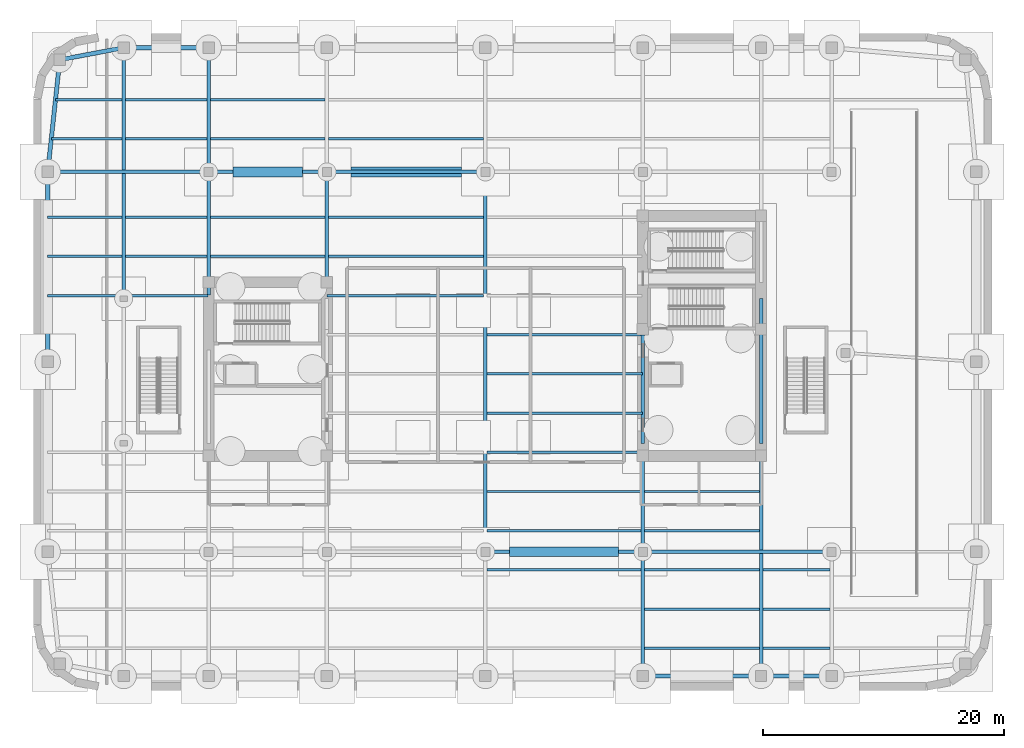
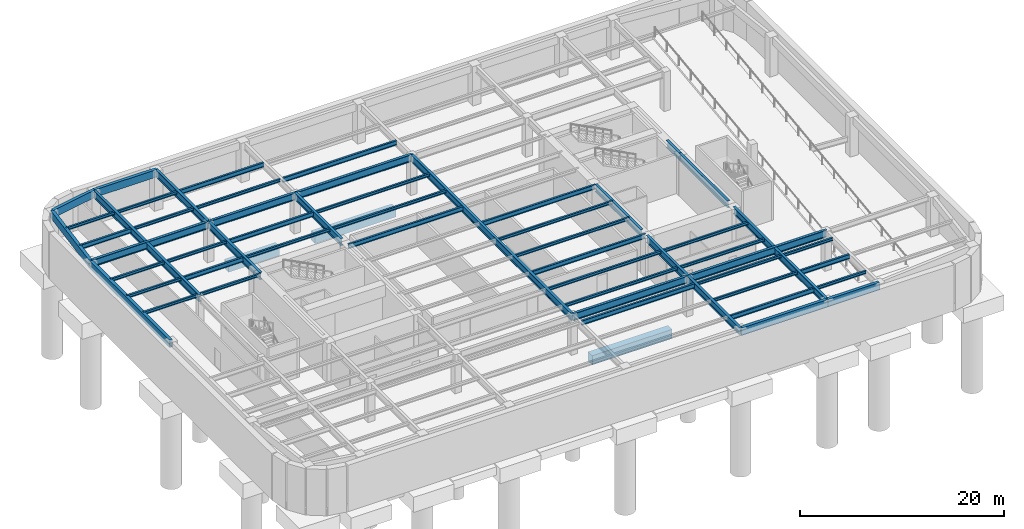
# One storey, part 3 of 14: 60 beams.
"""IFC4 building model written with IfcOpenShell, lengths in metres."""

from ifc_helpers import new_model, si_unit, direction, frame, origin, origin_2d, place, context, subcontext, project, spatial, rectangle, hollow_rectangle, i_section, extrude, material, material_profile, profile_set, type_object, element, save


model = new_model("IFC4")

# Units and contexts
model_context = context("Model", 3, precision=1e-05, world=origin(), true_north=direction((0.0, 1.0)))
body_context = subcontext(model_context, "Body", "Model", "MODEL_VIEW")
ifc_project = project(units=[si_unit("LENGTHUNIT", "METRE"), si_unit("AREAUNIT", "SQUARE_METRE"), si_unit("VOLUMEUNIT", "CUBIC_METRE"), si_unit("PLANEANGLEUNIT", "RADIAN"), si_unit("MASSUNIT", "GRAM", prefix="KILO")], contexts=[model_context])

# Site, building, storey
site_placement = place(None, origin())
site = spatial("IfcSite", under=ifc_project, at=site_placement, CompositionType="ELEMENT")
building_placement = place(site_placement, origin())
building = spatial("IfcBuilding", under=site, at=building_placement, Name="Kolvaren Arena Tower", CompositionType="ELEMENT")
storey_placement = place(building_placement, frame((0.0, 0.0, -10.0)))
storey = spatial("IfcBuildingStorey", under=building, at=storey_placement, Name="B02", CompositionType="ELEMENT", Elevation=-10.0)

# Beams
ifc_material_1 = material(Name="Steel CSA G40.21 350W", Category="steel")
ifc_material_profile_1 = material_profile(ifc_material_1, i_section(OverallWidth=0.2119140625, OverallDepth=0.54296875, WebThickness=0.01318359375, FlangeThickness=0.0244140625, FilletRadius=0.013916015625, at=origin_2d()), Name="W530x150")
ifc_profile_set_1 = profile_set([ifc_material_profile_1], Name="Steel CSA G40.21 350W")
beam_type_1 = type_object("IfcBeamType", Name="BEAM-F1", PredefinedType="BEAM", material=ifc_profile_set_1)
beam_1_placement = place(storey_placement, frame((50.696044921875, 3.5, 4.41845703125), z_axis=(1.0, 0.0, 0.0), x_axis=(0.0, 1.0, 0.0)))
element("IfcBeam", 1, at=beam_1_placement, inside=storey, type_object=beam_type_1, Name="Composite Floor Beam (B02)", PredefinedType="BEAM", context=body_context, shape_type="SweptSolid", body=[
    extrude(i_section(OverallWidth=0.2119140625, OverallDepth=0.54296875, WebThickness=0.01318359375, FlangeThickness=0.0244140625, FilletRadius=0.013916015625, at=origin_2d()), origin(), (0.0, 0.0, 1.0), 9.508056640625),
])
beam_2_placement = place(storey_placement, frame((60.49609375, 6.75, 4.41845703125), z_axis=(1.0, 0.0, 0.0), x_axis=(0.0, 1.0, 0.0)))
element("IfcBeam", 2, at=beam_2_placement, inside=storey, type_object=beam_type_1, Name="Composite Floor Beam (B02)", PredefinedType="BEAM", context=body_context, shape_type="SweptSolid", body=[
    extrude(i_section(OverallWidth=0.2119140625, OverallDepth=0.54296875, WebThickness=0.01318359375, FlangeThickness=0.0244140625, FilletRadius=0.013916015625, at=origin_2d()), origin(), (0.0, 0.0, 1.0), 5.557861328125),
])
beam_3_placement = place(storey_placement, frame((37.64599609375, 10.0, 4.41845703125), z_axis=(1.0, 0.0, 0.0), x_axis=(0.0, 1.0, 0.0)))
element("IfcBeam", 3, at=beam_3_placement, inside=storey, type_object=beam_type_1, Name="Composite Floor Beam (B02)", PredefinedType="BEAM", context=body_context, shape_type="SweptSolid", body=[
    extrude(i_section(OverallWidth=0.2119140625, OverallDepth=0.54296875, WebThickness=0.01318359375, FlangeThickness=0.0244140625, FilletRadius=0.013916015625, at=origin_2d()), origin(), (0.0, 0.0, 1.0), 12.758056640625),
])
beam_4_placement = place(storey_placement, frame((37.64599609375, 19.75, 4.41845703125), z_axis=(1.0, 0.0, 0.0), x_axis=(0.0, 1.0, 0.0)))
element("IfcBeam", 4, at=beam_4_placement, inside=storey, type_object=beam_type_1, Name="Composite Floor Beam (B02)", PredefinedType="BEAM", context=body_context, shape_type="SweptSolid", body=[
    extrude(i_section(OverallWidth=0.2119140625, OverallDepth=0.54296875, WebThickness=0.01318359375, FlangeThickness=0.0244140625, FilletRadius=0.013916015625, at=origin_2d()), origin(), (0.0, 0.0, 1.0), 12.884033203125),
])
beam_5_placement = place(storey_placement, frame((37.64599609375, 29.5, 4.41845703125), z_axis=(1.0, 0.0, 0.0), x_axis=(0.0, 1.0, 0.0)))
element("IfcBeam", 5, at=beam_5_placement, inside=storey, type_object=beam_type_1, Name="Composite Floor Beam (B02)", PredefinedType="BEAM", context=body_context, shape_type="SweptSolid", body=[
    extrude(i_section(OverallWidth=0.2119140625, OverallDepth=0.54296875, WebThickness=0.01318359375, FlangeThickness=0.0244140625, FilletRadius=0.013916015625, at=origin_2d()), origin(), (0.0, 0.0, 1.0), 12.833984375),
])
beam_6_placement = place(storey_placement, frame((24.3701171875, 32.75, 4.41845703125), z_axis=(1.0, 0.0, 0.0), x_axis=(0.0, 1.0, 0.0)))
element("IfcBeam", 6, at=beam_6_placement, inside=storey, type_object=beam_type_1, Name="Composite Floor Beam (B02)", PredefinedType="BEAM", context=body_context, shape_type="SweptSolid", body=[
    extrude(i_section(OverallWidth=0.2119140625, OverallDepth=0.54296875, WebThickness=0.01318359375, FlangeThickness=0.0244140625, FilletRadius=0.013916015625, at=origin_2d()), origin(), (0.0, 0.0, 1.0), 12.98388671875),
])
beam_7_placement = place(storey_placement, frame((7.64599609375, 36.0, 4.41845703125), z_axis=(1.0, 0.0, 0.0), x_axis=(0.0, 1.0, 0.0)))
element("IfcBeam", 7, at=beam_7_placement, inside=storey, type_object=beam_type_1, Name="Composite Floor Beam (B02)", PredefinedType="BEAM", context=body_context, shape_type="SweptSolid", body=[
    extrude(i_section(OverallWidth=0.2119140625, OverallDepth=0.54296875, WebThickness=0.01318359375, FlangeThickness=0.0244140625, FilletRadius=0.013916015625, at=origin_2d()), origin(), (0.0, 0.0, 1.0), 6.758056640625),
])
beam_8_placement = place(storey_placement, frame((14.696044921875, 39.25, 4.41845703125), z_axis=(1.0, 0.0, 0.0), x_axis=(0.0, 1.0, 0.0)))
element("IfcBeam", 8, at=beam_8_placement, inside=storey, type_object=beam_type_1, Name="Composite Floor Beam (B02)", PredefinedType="BEAM", context=body_context, shape_type="SweptSolid", body=[
    extrude(i_section(OverallWidth=0.2119140625, OverallDepth=0.54296875, WebThickness=0.01318359375, FlangeThickness=0.0244140625, FilletRadius=0.013916015625, at=origin_2d()), origin(), (0.0, 0.0, 1.0), 9.508056640625),
])
beam_9_placement = place(storey_placement, frame((1.49560546875, 45.75, 4.41845703125), z_axis=(1.0, 0.0, 0.0), x_axis=(0.0, 1.0, 0.0)))
element("IfcBeam", 9, at=beam_9_placement, inside=storey, type_object=beam_type_1, Name="Composite Floor Beam (B02)", PredefinedType="BEAM", context=body_context, shape_type="SweptSolid", body=[
    extrude(i_section(OverallWidth=0.2119140625, OverallDepth=0.54296875, WebThickness=0.01318359375, FlangeThickness=0.0244140625, FilletRadius=0.013916015625, at=origin_2d()), origin(), (0.0, 0.0, 1.0), 5.8583984375),
])
beam_10_placement = place(storey_placement, frame((24.49609375, 45.75, 4.41845703125), z_axis=(1.0, 0.0, 0.0), x_axis=(0.0, 1.0, 0.0)))
element("IfcBeam", 10, at=beam_10_placement, inside=storey, type_object=beam_type_1, Name="Composite Floor Beam (B02)", PredefinedType="BEAM", context=body_context, shape_type="SweptSolid", body=[
    extrude(i_section(OverallWidth=0.2119140625, OverallDepth=0.54296875, WebThickness=0.01318359375, FlangeThickness=0.0244140625, FilletRadius=0.013916015625, at=origin_2d()), origin(), (0.0, 0.0, 1.0), 12.85791015625),
])
beam_11_placement = place(storey_placement, frame((14.696044921875, 49.0, 4.41845703125), z_axis=(1.0, 0.0, 0.0), x_axis=(0.0, 1.0, 0.0)))
element("IfcBeam", 11, at=beam_11_placement, inside=storey, type_object=beam_type_1, Name="Composite Floor Beam (B02)", PredefinedType="BEAM", context=body_context, shape_type="SweptSolid", body=[
    extrude(i_section(OverallWidth=0.2119140625, OverallDepth=0.54296875, WebThickness=0.01318359375, FlangeThickness=0.0244140625, FilletRadius=0.013916015625, at=origin_2d()), origin(), (0.0, 0.0, 1.0), 9.508056640625),
])
ifc_material_2 = material(Name="Concrete 50 MPa", Category="concrete")
ifc_material_profile_2 = material_profile(ifc_material_2, rectangle(XDim=0.800048828125, YDim=1.10009765625, at=origin_2d()), Name="RC-800x1100")
ifc_profile_set_2 = profile_set([ifc_material_profile_2], Name="Concrete 50 MPa")
beam_type_2 = type_object("IfcBeamType", Name="GB-FND-1", PredefinedType="BEAM", material=ifc_profile_set_2)
beam_12_placement = place(storey_placement, frame((39.5048828125, 11.5, -1.39990234375), z_axis=(1.0, 0.0, 0.0), x_axis=(0.0, 1.0, 0.0)))
element("IfcBeam", 12, at=beam_12_placement, inside=storey, type_object=beam_type_2, Name="Foundation Grade Beam GB1-03", PredefinedType="BEAM", context=body_context, shape_type="SweptSolid", body=[
    extrude(rectangle(XDim=0.800048828125, YDim=1.10009765625, at=origin_2d()), origin(), (0.0, 0.0, 1.0), 9.0400390625),
])
beam_13_placement = place(storey_placement, frame((16.554931640625, 43.0, -1.39990234375), z_axis=(1.0, 0.0, 0.0), x_axis=(0.0, 1.0, 0.0)))
element("IfcBeam", 13, at=beam_13_placement, inside=storey, type_object=beam_type_2, Name="Foundation Grade Beam GB1-05", PredefinedType="BEAM", context=body_context, shape_type="SweptSolid", body=[
    extrude(rectangle(XDim=0.800048828125, YDim=1.10009765625, at=origin_2d()), origin(), (0.0, 0.0, 1.0), 5.7900390625),
])
beam_14_placement = place(storey_placement, frame((26.35498046875, 43.0, -1.39990234375), z_axis=(1.0, 0.0, 0.0), x_axis=(0.0, 1.0, 0.0)))
element("IfcBeam", 14, at=beam_14_placement, inside=storey, type_object=beam_type_2, Name="Foundation Grade Beam GB1-06", PredefinedType="BEAM", context=body_context, shape_type="SweptSolid", body=[
    extrude(rectangle(XDim=0.800048828125, YDim=1.10009765625, at=origin_2d()), origin(), (0.0, 0.0, 1.0), 9.14013671875),
])
ifc_material_profile_3 = material_profile(ifc_material_1, i_section(OverallWidth=0.2919921875, OverallDepth=0.85498046875, WebThickness=0.02099609375, FlangeThickness=0.03564453125, FilletRadius=0.01806640625, at=origin_2d()), Name="W840x299")
ifc_profile_set_3 = profile_set([ifc_material_profile_3], Name="Steel CSA G40.21 350W")
beam_type_3 = type_object("IfcBeamType", Name="GIRD-P1", PredefinedType="BEAM", material=ifc_profile_set_3)
beam_15_placement = place(storey_placement, frame((37.5, 11.5, 4.262451171875), z_axis=(1.0, 0.0, 0.0), x_axis=(0.0, 1.0, 0.0)))
element("IfcBeam", 15, at=beam_15_placement, inside=storey, type_object=beam_type_3, Name="Primary Floor Girder (B02)", PredefinedType="BEAM", context=body_context, shape_type="SweptSolid", body=[
    extrude(i_section(OverallWidth=0.2919921875, OverallDepth=0.85498046875, WebThickness=0.02099609375, FlangeThickness=0.03564453125, FilletRadius=0.01806640625, at=origin_2d()), origin(), (0.0, 0.0, 1.0), 13.050048828125),
])
beam_16_placement = place(storey_placement, frame((50.550048828125, 11.5, 4.262451171875), z_axis=(1.0, 0.0, 0.0), x_axis=(0.0, 1.0, 0.0)))
element("IfcBeam", 16, at=beam_16_placement, inside=storey, type_object=beam_type_3, Name="Primary Floor Girder (B02)", PredefinedType="BEAM", context=body_context, shape_type="SweptSolid", body=[
    extrude(i_section(OverallWidth=0.2919921875, OverallDepth=0.85498046875, WebThickness=0.02099609375, FlangeThickness=0.03564453125, FilletRadius=0.01806640625, at=origin_2d()), origin(), (0.0, 0.0, 1.0), 15.64990234375),
])
beam_17_placement = place(storey_placement, frame((1.199951171875, 43.0, 4.262451171875), z_axis=(1.0, 0.0, 0.0), x_axis=(0.0, 1.0, 0.0)))
element("IfcBeam", 17, at=beam_17_placement, inside=storey, type_object=beam_type_3, Name="Primary Floor Girder (B02)", PredefinedType="BEAM", context=body_context, shape_type="SweptSolid", body=[
    extrude(i_section(OverallWidth=0.2919921875, OverallDepth=0.85498046875, WebThickness=0.02099609375, FlangeThickness=0.03564453125, FilletRadius=0.01806640625, at=origin_2d()), origin(), (0.0, 0.0, 1.0), 13.35009765625),
])
beam_18_placement = place(storey_placement, frame((14.550048828125, 43.0, 4.262451171875), z_axis=(1.0, 0.0, 0.0), x_axis=(0.0, 1.0, 0.0)))
element("IfcBeam", 18, at=beam_18_placement, inside=storey, type_object=beam_type_3, Name="Primary Floor Girder (B02)", PredefinedType="BEAM", context=body_context, shape_type="SweptSolid", body=[
    extrude(i_section(OverallWidth=0.2919921875, OverallDepth=0.85498046875, WebThickness=0.02099609375, FlangeThickness=0.03564453125, FilletRadius=0.01806640625, at=origin_2d()), origin(), (0.0, 0.0, 1.0), 9.800048828125),
])
beam_19_placement = place(storey_placement, frame((24.35009765625, 43.0, 4.262451171875), z_axis=(1.0, 0.0, 0.0), x_axis=(0.0, 1.0, 0.0)))
element("IfcBeam", 19, at=beam_19_placement, inside=storey, type_object=beam_type_3, Name="Primary Floor Girder (B02)", PredefinedType="BEAM", context=body_context, shape_type="SweptSolid", body=[
    extrude(i_section(OverallWidth=0.2919921875, OverallDepth=0.85498046875, WebThickness=0.02099609375, FlangeThickness=0.03564453125, FilletRadius=0.01806640625, at=origin_2d()), origin(), (0.0, 0.0, 1.0), 13.14990234375),
])
beam_20_placement = place(storey_placement, frame((7.5, 32.5, 4.262451171875), z_axis=(0.0, 1.0, 0.0), x_axis=(-1.0, 0.0, 0.0)))
element("IfcBeam", 20, at=beam_20_placement, inside=storey, type_object=beam_type_3, Name="Primary Floor Girder (B02)", PredefinedType="BEAM", context=body_context, shape_type="SweptSolid", body=[
    extrude(i_section(OverallWidth=0.2919921875, OverallDepth=0.85498046875, WebThickness=0.02099609375, FlangeThickness=0.03564453125, FilletRadius=0.01806640625, at=origin_2d()), origin(), (0.0, 0.0, 1.0), 10.35400390625),
])
beam_21_placement = place(storey_placement, frame((7.5, 43.14599609375, 4.262451171875), z_axis=(0.0, 1.0, 0.0), x_axis=(-1.0, 0.0, 0.0)))
element("IfcBeam", 21, at=beam_21_placement, inside=storey, type_object=beam_type_3, Name="Primary Floor Girder (B02)", PredefinedType="BEAM", context=body_context, shape_type="SweptSolid", body=[
    extrude(i_section(OverallWidth=0.2919921875, OverallDepth=0.85498046875, WebThickness=0.02099609375, FlangeThickness=0.03564453125, FilletRadius=0.01806640625, at=origin_2d()), origin(), (0.0, 0.0, 1.0), 10.154052734375),
])
beam_22_placement = place(storey_placement, frame((14.550048828125, 32.7900390625, 4.262451171875), z_axis=(0.0, 1.0, 0.0), x_axis=(-1.0, 0.0, 0.0)))
element("IfcBeam", 22, at=beam_22_placement, inside=storey, type_object=beam_type_3, Name="Primary Floor Girder (B02)", PredefinedType="BEAM", context=body_context, shape_type="SweptSolid", body=[
    extrude(i_section(OverallWidth=0.2919921875, OverallDepth=0.85498046875, WebThickness=0.02099609375, FlangeThickness=0.03564453125, FilletRadius=0.01806640625, at=origin_2d()), origin(), (0.0, 0.0, 1.0), 10.2099609375),
])
beam_23_placement = place(storey_placement, frame((14.550048828125, 43.0, 4.262451171875), z_axis=(0.0, 1.0, 0.0), x_axis=(-1.0, 0.0, 0.0)))
element("IfcBeam", 23, at=beam_23_placement, inside=storey, type_object=beam_type_3, Name="Primary Floor Girder (B02)", PredefinedType="BEAM", context=body_context, shape_type="SweptSolid", body=[
    extrude(i_section(OverallWidth=0.2919921875, OverallDepth=0.85498046875, WebThickness=0.02099609375, FlangeThickness=0.03564453125, FilletRadius=0.01806640625, at=origin_2d()), origin(), (0.0, 0.0, 1.0), 10.300048828125),
])
beam_24_placement = place(storey_placement, frame((24.35009765625, 33.85009765625, 4.262451171875), z_axis=(0.0, 1.0, 0.0), x_axis=(-1.0, 0.0, 0.0)))
element("IfcBeam", 24, at=beam_24_placement, inside=storey, type_object=beam_type_3, Name="Primary Floor Girder (B02)", PredefinedType="BEAM", context=body_context, shape_type="SweptSolid", body=[
    extrude(i_section(OverallWidth=0.2919921875, OverallDepth=0.85498046875, WebThickness=0.02099609375, FlangeThickness=0.03564453125, FilletRadius=0.01806640625, at=origin_2d()), origin(), (0.0, 0.0, 1.0), 9.14990234375),
])
beam_25_placement = place(storey_placement, frame((37.5, 11.5, 4.262451171875), z_axis=(0.0, 1.0, 0.0), x_axis=(-1.0, 0.0, 0.0)))
element("IfcBeam", 25, at=beam_25_placement, inside=storey, type_object=beam_type_3, Name="Primary Floor Girder (B02)", PredefinedType="BEAM", context=body_context, shape_type="SweptSolid", body=[
    extrude(i_section(OverallWidth=0.2919921875, OverallDepth=0.85498046875, WebThickness=0.02099609375, FlangeThickness=0.03564453125, FilletRadius=0.01806640625, at=origin_2d()), origin(), (0.0, 0.0, 1.0), 31.5),
])
beam_26_placement = place(storey_placement, frame((50.550048828125, 1.199951171875, 4.262451171875), z_axis=(0.0, 1.0, 0.0), x_axis=(-1.0, 0.0, 0.0)))
element("IfcBeam", 26, at=beam_26_placement, inside=storey, type_object=beam_type_3, Name="Primary Floor Girder (B02)", PredefinedType="BEAM", context=body_context, shape_type="SweptSolid", body=[
    extrude(i_section(OverallWidth=0.2919921875, OverallDepth=0.85498046875, WebThickness=0.02099609375, FlangeThickness=0.03564453125, FilletRadius=0.01806640625, at=origin_2d()), origin(), (0.0, 0.0, 1.0), 10.300048828125),
])
beam_27_placement = place(storey_placement, frame((50.550048828125, 11.5, 4.262451171875), z_axis=(0.0, 1.0, 0.0), x_axis=(-1.0, 0.0, 0.0)))
element("IfcBeam", 27, at=beam_27_placement, inside=storey, type_object=beam_type_3, Name="Primary Floor Girder (B02)", PredefinedType="BEAM", context=body_context, shape_type="SweptSolid", body=[
    extrude(i_section(OverallWidth=0.2919921875, OverallDepth=0.85498046875, WebThickness=0.02099609375, FlangeThickness=0.03564453125, FilletRadius=0.01806640625, at=origin_2d()), origin(), (0.0, 0.0, 1.0), 7.949951171875),
])
beam_28_placement = place(storey_placement, frame((50.550048828125, 20.5, 4.262451171875), z_axis=(0.0, 1.0, 0.0), x_axis=(-1.0, 0.0, 0.0)))
element("IfcBeam", 28, at=beam_28_placement, inside=storey, type_object=beam_type_3, Name="Primary Floor Girder (B02)", PredefinedType="BEAM", context=body_context, shape_type="SweptSolid", body=[
    extrude(i_section(OverallWidth=0.2919921875, OverallDepth=0.85498046875, WebThickness=0.02099609375, FlangeThickness=0.03564453125, FilletRadius=0.01806640625, at=origin_2d()), origin(), (0.0, 0.0, 1.0), 8.989990234375),
])
beam_29_placement = place(storey_placement, frame((60.35009765625, 1.199951171875, 4.262451171875), z_axis=(0.0, 1.0, 0.0), x_axis=(-1.0, 0.0, 0.0)))
element("IfcBeam", 29, at=beam_29_placement, inside=storey, type_object=beam_type_3, Name="Primary Floor Girder (B02)", PredefinedType="BEAM", context=body_context, shape_type="SweptSolid", body=[
    extrude(i_section(OverallWidth=0.2919921875, OverallDepth=0.85498046875, WebThickness=0.02099609375, FlangeThickness=0.03564453125, FilletRadius=0.01806640625, at=origin_2d()), origin(), (0.0, 0.0, 1.0), 10.154052734375),
])
beam_30_placement = place(storey_placement, frame((60.35009765625, 11.64599609375, 4.262451171875), z_axis=(0.0, 1.0, 0.0), x_axis=(-1.0, 0.0, 0.0)))
element("IfcBeam", 30, at=beam_30_placement, inside=storey, type_object=beam_type_3, Name="Primary Floor Girder (B02)", PredefinedType="BEAM", context=body_context, shape_type="SweptSolid", body=[
    extrude(i_section(OverallWidth=0.2919921875, OverallDepth=0.85498046875, WebThickness=0.02099609375, FlangeThickness=0.03564453125, FilletRadius=0.01806640625, at=origin_2d()), origin(), (0.0, 0.0, 1.0), 7.803955078125),
])
beam_31_placement = place(storey_placement, frame((60.35009765625, 20.5, 4.262451171875), z_axis=(0.0, 1.0, 0.0), x_axis=(-1.0, 0.0, 0.0)))
element("IfcBeam", 31, at=beam_31_placement, inside=storey, type_object=beam_type_3, Name="Primary Floor Girder (B02)", PredefinedType="BEAM", context=body_context, shape_type="SweptSolid", body=[
    extrude(i_section(OverallWidth=0.2919921875, OverallDepth=0.85498046875, WebThickness=0.02099609375, FlangeThickness=0.03564453125, FilletRadius=0.01806640625, at=origin_2d()), origin(), (0.0, 0.0, 1.0), 9.449951171875),
])
beam_32_placement = place(storey_placement, frame((60.35009765625, 29.949951171875, 4.262451171875), z_axis=(0.0, 1.0, 0.0), x_axis=(-1.0, 0.0, 0.0)))
element("IfcBeam", 32, at=beam_32_placement, inside=storey, type_object=beam_type_3, Name="Primary Floor Girder (B02)", PredefinedType="BEAM", context=body_context, shape_type="SweptSolid", body=[
    extrude(i_section(OverallWidth=0.2919921875, OverallDepth=0.85498046875, WebThickness=0.02099609375, FlangeThickness=0.03564453125, FilletRadius=0.01806640625, at=origin_2d()), origin(), (0.0, 0.0, 1.0), 2.550048828125),
])
ifc_material_profile_4 = material_profile(ifc_material_1, i_section(OverallWidth=0.202880859375, OverallDepth=0.346923828125, WebThickness=0.0078125, FlangeThickness=0.013427734375, FilletRadius=0.010986328125, at=origin_2d()), Name="W360x64")
ifc_profile_set_4 = profile_set([ifc_material_profile_4], Name="Steel CSA G40.21 350W")
beam_type_4 = type_object("IfcBeamType", Name="JOIST-01", PredefinedType="JOIST", material=ifc_profile_set_4)
beam_33_placement = place(storey_placement, frame((60.49609375, 3.5, 4.5166015625), z_axis=(1.0, 0.0, 0.0), x_axis=(0.0, 1.0, 0.0)))
element("IfcBeam", 33, at=beam_33_placement, inside=storey, type_object=beam_type_4, Name="Composite Floor Joist (B02)", PredefinedType="JOIST", context=body_context, shape_type="SweptSolid", body=[
    extrude(i_section(OverallWidth=0.202880859375, OverallDepth=0.346923828125, WebThickness=0.0078125, FlangeThickness=0.013427734375, FilletRadius=0.010986328125, at=origin_2d()), origin(), (0.0, 0.0, 1.0), 5.557861328125),
])
for number, where, z_axis, x_axis, name in (
    (34, (50.696044921875, 6.75, 4.5166015625), (1.0, 0.0, 0.0), (0.0, 1.0, 0.0), "Composite Floor Joist (B02)"),
    (35, (50.696044921875, 10.0, 4.5166015625), (1.0, 0.0, 0.0), (0.0, 1.0, 0.0), "Composite Floor Joist (B02)"),
):
    element("IfcBeam", number, at=place(storey_placement, frame(where, z_axis=z_axis, x_axis=x_axis)), inside=storey, type_object=beam_type_4, Name=name, PredefinedType="JOIST", context=body_context, shape_type="SweptSolid", body=[
        extrude(i_section(OverallWidth=0.202880859375, OverallDepth=0.346923828125, WebThickness=0.0078125, FlangeThickness=0.013427734375, FilletRadius=0.010986328125, at=origin_2d()), origin(), (0.0, 0.0, 1.0), 9.508056640625),
    ])
beam_34_placement = place(storey_placement, frame((60.49609375, 10.0, 4.5166015625), z_axis=(1.0, 0.0, 0.0), x_axis=(0.0, 1.0, 0.0)))
element("IfcBeam", 36, at=beam_34_placement, inside=storey, type_object=beam_type_4, Name="Composite Floor Joist (B02)", PredefinedType="JOIST", context=body_context, shape_type="SweptSolid", body=[
    extrude(i_section(OverallWidth=0.202880859375, OverallDepth=0.346923828125, WebThickness=0.0078125, FlangeThickness=0.013427734375, FilletRadius=0.010986328125, at=origin_2d()), origin(), (0.0, 0.0, 1.0), 5.557861328125),
])
beam_35_placement = place(storey_placement, frame((37.64599609375, 13.25, 4.5166015625), z_axis=(1.0, 0.0, 0.0), x_axis=(0.0, 1.0, 0.0)))
element("IfcBeam", 37, at=beam_35_placement, inside=storey, type_object=beam_type_4, Name="Composite Floor Joist (B02)", PredefinedType="JOIST", context=body_context, shape_type="SweptSolid", body=[
    extrude(i_section(OverallWidth=0.202880859375, OverallDepth=0.346923828125, WebThickness=0.0078125, FlangeThickness=0.013427734375, FilletRadius=0.010986328125, at=origin_2d()), origin(), (0.0, 0.0, 1.0), 12.758056640625),
])
beam_36_placement = place(storey_placement, frame((50.696044921875, 13.25, 4.5166015625), z_axis=(1.0, 0.0, 0.0), x_axis=(0.0, 1.0, 0.0)))
element("IfcBeam", 38, at=beam_36_placement, inside=storey, type_object=beam_type_4, Name="Composite Floor Joist (B02)", PredefinedType="JOIST", context=body_context, shape_type="SweptSolid", body=[
    extrude(i_section(OverallWidth=0.202880859375, OverallDepth=0.346923828125, WebThickness=0.0078125, FlangeThickness=0.013427734375, FilletRadius=0.010986328125, at=origin_2d()), origin(), (0.0, 0.0, 1.0), 9.508056640625),
])
beam_37_placement = place(storey_placement, frame((37.64599609375, 16.5, 4.5166015625), z_axis=(1.0, 0.0, 0.0), x_axis=(0.0, 1.0, 0.0)))
element("IfcBeam", 39, at=beam_37_placement, inside=storey, type_object=beam_type_4, Name="Composite Floor Joist (B02)", PredefinedType="JOIST", context=body_context, shape_type="SweptSolid", body=[
    extrude(i_section(OverallWidth=0.202880859375, OverallDepth=0.346923828125, WebThickness=0.0078125, FlangeThickness=0.013427734375, FilletRadius=0.010986328125, at=origin_2d()), origin(), (0.0, 0.0, 1.0), 12.758056640625),
])
beam_38_placement = place(storey_placement, frame((50.696044921875, 16.5, 4.5166015625), z_axis=(1.0, 0.0, 0.0), x_axis=(0.0, 1.0, 0.0)))
element("IfcBeam", 40, at=beam_38_placement, inside=storey, type_object=beam_type_4, Name="Composite Floor Joist (B02)", PredefinedType="JOIST", context=body_context, shape_type="SweptSolid", body=[
    extrude(i_section(OverallWidth=0.202880859375, OverallDepth=0.346923828125, WebThickness=0.0078125, FlangeThickness=0.013427734375, FilletRadius=0.010986328125, at=origin_2d()), origin(), (0.0, 0.0, 1.0), 9.508056640625),
])
for number, where, z_axis, x_axis, name in (
    (41, (37.64599609375, 23.0, 4.5166015625), (1.0, 0.0, 0.0), (0.0, 1.0, 0.0), "Composite Floor Joist (B02)"),
    (42, (37.64599609375, 26.25, 4.5166015625), (1.0, 0.0, 0.0), (0.0, 1.0, 0.0), "Composite Floor Joist (B02)"),
):
    element("IfcBeam", number, at=place(storey_placement, frame(where, z_axis=z_axis, x_axis=x_axis)), inside=storey, type_object=beam_type_4, Name=name, PredefinedType="JOIST", context=body_context, shape_type="SweptSolid", body=[
        extrude(i_section(OverallWidth=0.202880859375, OverallDepth=0.346923828125, WebThickness=0.0078125, FlangeThickness=0.013427734375, FilletRadius=0.010986328125, at=origin_2d()), origin(), (0.0, 0.0, 1.0), 12.884033203125),
    ])
beam_39_placement = place(storey_placement, frame((1.199951171875, 32.75, 4.5166015625), z_axis=(1.0, 0.0, 0.0), x_axis=(0.0, 1.0, 0.0)))
element("IfcBeam", 43, at=beam_39_placement, inside=storey, type_object=beam_type_4, Name="Composite Floor Joist (B02)", PredefinedType="JOIST", context=body_context, shape_type="SweptSolid", body=[
    extrude(i_section(OverallWidth=0.202880859375, OverallDepth=0.346923828125, WebThickness=0.0078125, FlangeThickness=0.013427734375, FilletRadius=0.010986328125, at=origin_2d()), origin(), (0.0, 0.0, 1.0), 6.154052734375),
])
beam_40_placement = place(storey_placement, frame((7.64599609375, 32.75, 4.5166015625), z_axis=(1.0, 0.0, 0.0), x_axis=(0.0, 1.0, 0.0)))
element("IfcBeam", 44, at=beam_40_placement, inside=storey, type_object=beam_type_4, Name="Composite Floor Joist (B02)", PredefinedType="JOIST", context=body_context, shape_type="SweptSolid", body=[
    extrude(i_section(OverallWidth=0.202880859375, OverallDepth=0.346923828125, WebThickness=0.0078125, FlangeThickness=0.013427734375, FilletRadius=0.010986328125, at=origin_2d()), origin(), (0.0, 0.0, 1.0), 6.833984375),
])
beam_41_placement = place(storey_placement, frame((1.199951171875, 36.0, 4.5166015625), z_axis=(1.0, 0.0, 0.0), x_axis=(0.0, 1.0, 0.0)))
element("IfcBeam", 45, at=beam_41_placement, inside=storey, type_object=beam_type_4, Name="Composite Floor Joist (B02)", PredefinedType="JOIST", context=body_context, shape_type="SweptSolid", body=[
    extrude(i_section(OverallWidth=0.202880859375, OverallDepth=0.346923828125, WebThickness=0.0078125, FlangeThickness=0.013427734375, FilletRadius=0.010986328125, at=origin_2d()), origin(), (0.0, 0.0, 1.0), 6.154052734375),
])
beam_42_placement = place(storey_placement, frame((14.696044921875, 36.0, 4.5166015625), z_axis=(1.0, 0.0, 0.0), x_axis=(0.0, 1.0, 0.0)))
element("IfcBeam", 46, at=beam_42_placement, inside=storey, type_object=beam_type_4, Name="Composite Floor Joist (B02)", PredefinedType="JOIST", context=body_context, shape_type="SweptSolid", body=[
    extrude(i_section(OverallWidth=0.202880859375, OverallDepth=0.346923828125, WebThickness=0.0078125, FlangeThickness=0.013427734375, FilletRadius=0.010986328125, at=origin_2d()), origin(), (0.0, 0.0, 1.0), 9.508056640625),
])
beam_43_placement = place(storey_placement, frame((24.49609375, 36.0, 4.5166015625), z_axis=(1.0, 0.0, 0.0), x_axis=(0.0, 1.0, 0.0)))
element("IfcBeam", 47, at=beam_43_placement, inside=storey, type_object=beam_type_4, Name="Composite Floor Joist (B02)", PredefinedType="JOIST", context=body_context, shape_type="SweptSolid", body=[
    extrude(i_section(OverallWidth=0.202880859375, OverallDepth=0.346923828125, WebThickness=0.0078125, FlangeThickness=0.013427734375, FilletRadius=0.010986328125, at=origin_2d()), origin(), (0.0, 0.0, 1.0), 12.85791015625),
])
beam_44_placement = place(storey_placement, frame((1.199951171875, 39.25, 4.5166015625), z_axis=(1.0, 0.0, 0.0), x_axis=(0.0, 1.0, 0.0)))
element("IfcBeam", 48, at=beam_44_placement, inside=storey, type_object=beam_type_4, Name="Composite Floor Joist (B02)", PredefinedType="JOIST", context=body_context, shape_type="SweptSolid", body=[
    extrude(i_section(OverallWidth=0.202880859375, OverallDepth=0.346923828125, WebThickness=0.0078125, FlangeThickness=0.013427734375, FilletRadius=0.010986328125, at=origin_2d()), origin(), (0.0, 0.0, 1.0), 6.154052734375),
])
beam_45_placement = place(storey_placement, frame((7.64599609375, 39.25, 4.5166015625), z_axis=(1.0, 0.0, 0.0), x_axis=(0.0, 1.0, 0.0)))
element("IfcBeam", 49, at=beam_45_placement, inside=storey, type_object=beam_type_4, Name="Composite Floor Joist (B02)", PredefinedType="JOIST", context=body_context, shape_type="SweptSolid", body=[
    extrude(i_section(OverallWidth=0.202880859375, OverallDepth=0.346923828125, WebThickness=0.0078125, FlangeThickness=0.013427734375, FilletRadius=0.010986328125, at=origin_2d()), origin(), (0.0, 0.0, 1.0), 6.758056640625),
])
beam_46_placement = place(storey_placement, frame((24.49609375, 39.25, 4.5166015625), z_axis=(1.0, 0.0, 0.0), x_axis=(0.0, 1.0, 0.0)))
element("IfcBeam", 50, at=beam_46_placement, inside=storey, type_object=beam_type_4, Name="Composite Floor Joist (B02)", PredefinedType="JOIST", context=body_context, shape_type="SweptSolid", body=[
    extrude(i_section(OverallWidth=0.202880859375, OverallDepth=0.346923828125, WebThickness=0.0078125, FlangeThickness=0.013427734375, FilletRadius=0.010986328125, at=origin_2d()), origin(), (0.0, 0.0, 1.0), 12.85791015625),
])
beam_47_placement = place(storey_placement, frame((7.64599609375, 45.75, 4.5166015625), z_axis=(1.0, 0.0, 0.0), x_axis=(0.0, 1.0, 0.0)))
element("IfcBeam", 51, at=beam_47_placement, inside=storey, type_object=beam_type_4, Name="Composite Floor Joist (B02)", PredefinedType="JOIST", context=body_context, shape_type="SweptSolid", body=[
    extrude(i_section(OverallWidth=0.202880859375, OverallDepth=0.346923828125, WebThickness=0.0078125, FlangeThickness=0.013427734375, FilletRadius=0.010986328125, at=origin_2d()), origin(), (0.0, 0.0, 1.0), 6.758056640625),
])
beam_48_placement = place(storey_placement, frame((14.696044921875, 45.75, 4.5166015625), z_axis=(1.0, 0.0, 0.0), x_axis=(0.0, 1.0, 0.0)))
element("IfcBeam", 52, at=beam_48_placement, inside=storey, type_object=beam_type_4, Name="Composite Floor Joist (B02)", PredefinedType="JOIST", context=body_context, shape_type="SweptSolid", body=[
    extrude(i_section(OverallWidth=0.202880859375, OverallDepth=0.346923828125, WebThickness=0.0078125, FlangeThickness=0.013427734375, FilletRadius=0.010986328125, at=origin_2d()), origin(), (0.0, 0.0, 1.0), 9.508056640625),
])
beam_49_placement = place(storey_placement, frame((1.84521484375, 49.0, 4.5166015625), z_axis=(1.0, 0.0, 0.0), x_axis=(0.0, 1.0, 0.0)))
element("IfcBeam", 53, at=beam_49_placement, inside=storey, type_object=beam_type_4, Name="Composite Floor Joist (B02)", PredefinedType="JOIST", context=body_context, shape_type="SweptSolid", body=[
    extrude(i_section(OverallWidth=0.202880859375, OverallDepth=0.346923828125, WebThickness=0.0078125, FlangeThickness=0.013427734375, FilletRadius=0.010986328125, at=origin_2d()), origin(), (0.0, 0.0, 1.0), 5.5087890625),
])
beam_50_placement = place(storey_placement, frame((7.64599609375, 49.0, 4.5166015625), z_axis=(1.0, 0.0, 0.0), x_axis=(0.0, 1.0, 0.0)))
element("IfcBeam", 54, at=beam_50_placement, inside=storey, type_object=beam_type_4, Name="Composite Floor Joist (B02)", PredefinedType="JOIST", context=body_context, shape_type="SweptSolid", body=[
    extrude(i_section(OverallWidth=0.202880859375, OverallDepth=0.346923828125, WebThickness=0.0078125, FlangeThickness=0.013427734375, FilletRadius=0.010986328125, at=origin_2d()), origin(), (0.0, 0.0, 1.0), 6.758056640625),
])
ifc_material_3 = material(Name="Steel CSA G40.21 350WT", Category="steel")
ifc_material_profile_5 = material_profile(ifc_material_3, hollow_rectangle(XDim=0.35009765625, YDim=0.89990234375, WallThickness=0.02001953125, at=origin_2d()), Name="HSS 900x350x20")
ifc_profile_set_5 = profile_set([ifc_material_profile_5], Name="Steel CSA G40.21 350WT")
beam_type_5 = type_object("IfcBeamType", Name="SPAND-01", PredefinedType="SPANDREL", material=ifc_profile_set_5)
beam_51_placement = place(storey_placement, frame((50.550048828125, 1.199951171875, 4.239990234375), z_axis=(1.0, 0.0, 0.0), x_axis=(0.0, 1.0, 0.0)))
element("IfcBeam", 55, at=beam_51_placement, inside=storey, type_object=beam_type_5, Name="Perimeter Spandrel Beam (B02)", PredefinedType="SPANDREL", context=body_context, shape_type="SweptSolid", body=[
    extrude(hollow_rectangle(XDim=0.35009765625, YDim=0.89990234375, WallThickness=0.02001953125, at=origin_2d()), origin(), (0.0, 0.0, 1.0), 9.800048828125),
])
beam_52_placement = place(storey_placement, frame((60.35009765625, 1.199951171875, 4.239990234375), z_axis=(1.0, 0.0, 0.0), x_axis=(0.0, 1.0, 0.0)))
element("IfcBeam", 56, at=beam_52_placement, inside=storey, type_object=beam_type_5, Name="Perimeter Spandrel Beam (B02)", PredefinedType="SPANDREL", context=body_context, shape_type="SweptSolid", body=[
    extrude(hollow_rectangle(XDim=0.35009765625, YDim=0.89990234375, WallThickness=0.02001953125, at=origin_2d()), origin(), (0.0, 0.0, 1.0), 5.849853515625),
])
beam_53_placement = place(storey_placement, frame((14.550048828125, 53.300048828125, 4.239990234375), z_axis=(-1.0, 0.0, 0.0), x_axis=(0.0, -1.0, 0.0)))
element("IfcBeam", 57, at=beam_53_placement, inside=storey, type_object=beam_type_5, Name="Perimeter Spandrel Beam (B02)", PredefinedType="SPANDREL", context=body_context, shape_type="SweptSolid", body=[
    extrude(hollow_rectangle(XDim=0.35009765625, YDim=0.89990234375, WallThickness=0.02001953125, at=origin_2d()), origin(), (0.0, 0.0, 1.0), 7.050048828125),
])
beam_54_placement = place(storey_placement, frame((7.5, 53.300048828125, 4.239990234375), z_axis=(-0.982661964955, -0.185406209796, 0.0), x_axis=(0.185406209796, -0.982661964955, 0.0)))
element("IfcBeam", 58, at=beam_54_placement, inside=storey, type_object=beam_type_5, Name="Perimeter Spandrel Beam (B02)", PredefinedType="SPANDREL", context=body_context, shape_type="SweptSolid", body=[
    extrude(hollow_rectangle(XDim=0.35009765625, YDim=0.89990234375, WallThickness=0.02001953125, at=origin_2d()), origin(), (0.0, 0.0, 1.0), 5.3935546875),
])
beam_55_placement = place(storey_placement, frame((2.199951171875, 52.300048828125, 4.239990234375), z_axis=(-0.106910051219, -0.994268696555, 0.0), x_axis=(0.994268696555, -0.106910051219, 0.0)))
element("IfcBeam", 59, at=beam_55_placement, inside=storey, type_object=beam_type_5, Name="Perimeter Spandrel Beam (B02)", PredefinedType="SPANDREL", context=body_context, shape_type="SweptSolid", body=[
    extrude(hollow_rectangle(XDim=0.35009765625, YDim=0.89990234375, WallThickness=0.02001953125, at=origin_2d()), origin(), (0.0, 0.0, 1.0), 9.353759765625),
])
beam_56_placement = place(storey_placement, frame((1.199951171875, 43.0, 4.239990234375), z_axis=(0.0, -1.0, 0.0), x_axis=(1.0, 0.0, 0.0)))
element("IfcBeam", 60, at=beam_56_placement, inside=storey, type_object=beam_type_5, Name="Perimeter Spandrel Beam (B02)", PredefinedType="SPANDREL", context=body_context, shape_type="SweptSolid", body=[
    extrude(hollow_rectangle(XDim=0.35009765625, YDim=0.89990234375, WallThickness=0.02001953125, at=origin_2d()), origin(), (0.0, 0.0, 1.0), 15.75),
])

save(model, "model.ifc")
